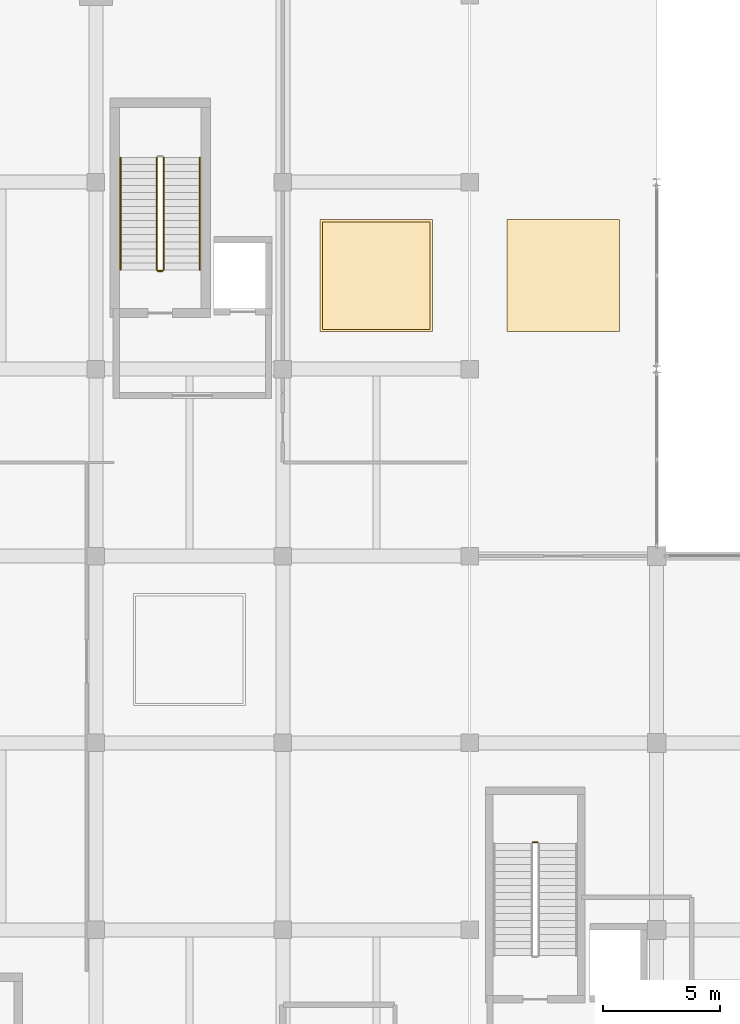
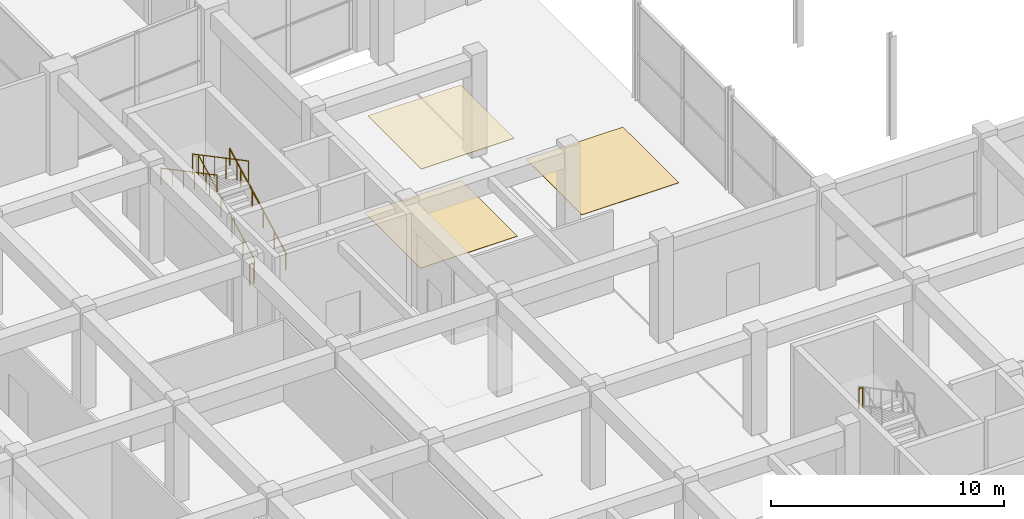
# One storey, part 69 of 86: 6 railings, 3 coverings.
"""IFC4 building model written with IfcOpenShell, lengths in metres."""

import ifcopenshell
import ifcopenshell.guid

model = None  # the IFC model being written
_history = None  # IfcOwnerHistory: only IFC2X3 demands one
_inside = {}  # id of a spatial element -> (the spatial element, [elements in it])
_under = {}  # id of a project, library or spatial element -> (it, [spatial elements below it])
_declared = {}  # id of a project -> (the project, [libraries it declares])
_typed = {}  # id of a type object -> (the type object, [elements of that type])
_made_of = {}  # id of a material, layer set ... -> (it, [elements and type objects made of it])


def new_model(schema):
    """Start an empty IFC model of exactly this schema.

    Asked for "IFC4X3", IfcOpenShell would pick the latest addendum, in which some entities
    have other attributes; the version numbers below select the first issue.
    IFC2X3 requires an IfcOwnerHistory on every rooted entity: one is made here for all.
    """
    global model, _history
    if schema == "IFC4X3":
        model = ifcopenshell.file(schema_version=(4, 3, 0, 0))
    else:
        model = ifcopenshell.file(schema=schema)
    _inside.clear()
    _under.clear()
    _declared.clear()
    _typed.clear()
    _made_of.clear()
    _history = None
    if model.schema == "IFC2X3":
        org = make("IfcOrganization", Name="unknown")
        user = make(
            "IfcPersonAndOrganization",
            ThePerson=make("IfcPerson", FamilyName="unknown"),
            TheOrganization=org,
        )
        app = make(
            "IfcApplication",
            ApplicationDeveloper=org,
            Version="unknown",
            ApplicationFullName="unknown",
            ApplicationIdentifier="unknown",
        )
        _history = make(
            "IfcOwnerHistory",
            OwningUser=user,
            OwningApplication=app,
            ChangeAction="ADDED",
            CreationDate=0,
        )
    return model


def make(cls, **values):
    """One entity of the class cls with the attributes given. An attribute that is None is left unset."""
    return model.create_entity(
        cls, **{name: value for name, value in values.items() if value is not None}
    )


def rooted(cls, **values):
    """An entity with a GlobalId (a new one), such as an element, a storey or a relation."""
    return make(cls, GlobalId=ifcopenshell.guid.new(), OwnerHistory=_history, **values)


def si_unit(unit_type, name, prefix=None):
    """IfcSIUnit, for example si_unit("LENGTHUNIT", "METRE", prefix="MILLI")."""
    return make("IfcSIUnit", UnitType=unit_type, Prefix=prefix, Name=name)


def assignment(units):
    """IfcUnitAssignment: the units of a project."""
    return None if units is None else make("IfcUnitAssignment", Units=units)


def point(xyz):
    """IfcCartesianPoint."""
    return None if xyz is None else make("IfcCartesianPoint", Coordinates=xyz)


def direction(xyz):
    """IfcDirection."""
    return None if xyz is None else make("IfcDirection", DirectionRatios=xyz)


def frame(location, z_axis=None, x_axis=None):
    """IfcAxis2Placement3D, a coordinate frame: its origin and axes. An axis left out is left unset."""
    return make(
        "IfcAxis2Placement3D",
        Location=point(location),
        Axis=direction(z_axis),
        RefDirection=direction(x_axis),
    )


def frame_2d(location, x_axis=None):
    """IfcAxis2Placement2D, a coordinate frame in the plane: its origin and x axis."""
    return make(
        "IfcAxis2Placement2D", Location=point(location), RefDirection=direction(x_axis)
    )


def origin():
    """The frame at (0, 0, 0) with its axes left unset."""
    return frame((0.0, 0.0, 0.0))


def origin_2d():
    """The frame at (0, 0) in the plane with its x axis left unset."""
    return frame_2d((0.0, 0.0))


def place(relative_to, where):
    """IfcLocalPlacement: puts the frame where relative to a parent placement (None: the world)."""
    return make(
        "IfcLocalPlacement", PlacementRelTo=relative_to, RelativePlacement=where
    )


def context(
    kind, dimensions, precision=None, world=None, true_north=None, identifier=None
):
    """IfcGeometricRepresentationContext, for example the 3D "Model" context."""
    return make(
        "IfcGeometricRepresentationContext",
        ContextIdentifier=identifier,
        ContextType=kind,
        CoordinateSpaceDimension=dimensions,
        Precision=precision,
        WorldCoordinateSystem=world,
        TrueNorth=true_north,
    )


def subcontext(parent, identifier, kind, view, scale=None):
    """IfcGeometricRepresentationSubContext, for example "Body" below "Model"."""
    return make(
        "IfcGeometricRepresentationSubContext",
        ContextIdentifier=identifier,
        ContextType=kind,
        ParentContext=parent,
        TargetScale=scale,
        TargetView=view,
    )


def project(units=None, contexts=None):
    """IfcProject with its units and contexts."""
    return rooted(
        "IfcProject",
        Name="project",
        RepresentationContexts=contexts,
        UnitsInContext=assignment(units),
    )


def spatial(cls, under=None, at=None, **own):
    """A site, building, storey or space (cls), placed at a placement, below another one or the project."""
    s = rooted(cls, ObjectPlacement=at, **own)
    if under is not None:
        _under.setdefault(under.id(), (under, []))[1].append(s)
    return s


def profile(cls, at=None, kind="AREA", **sizes):
    """A parametric profile (cls). Its sizes go by their IFC names, for example OverallWidth=200.0."""
    return make(cls, ProfileType=kind, Position=at, **sizes)


def rectangle(**sizes):
    """IfcRectangleProfileDef."""
    return profile("IfcRectangleProfileDef", **sizes)


def circle(**sizes):
    """IfcCircleProfileDef."""
    return profile("IfcCircleProfileDef", **sizes)


def extrude(swept, where, along, depth):
    """IfcExtrudedAreaSolid: the profile swept, set in the frame where, extruded along a direction by depth."""
    return make(
        "IfcExtrudedAreaSolid",
        SweptArea=swept,
        Position=where,
        ExtrudedDirection=direction(along),
        Depth=depth,
    )


def shape(context_of_items, identifier, shape_type, items):
    """IfcShapeRepresentation: the items that make up one representation, for example the "Body"."""
    return make(
        "IfcShapeRepresentation",
        ContextOfItems=context_of_items,
        RepresentationIdentifier=identifier,
        RepresentationType=shape_type,
        Items=items,
    )


def material(Name=None, Category=None):
    """IfcMaterial."""
    return make("IfcMaterial", Name=Name, Category=Category)


def layer(
    of_material, thickness, ventilated=None, Name=None, Category=None, Priority=None
):
    """IfcMaterialLayer: one layer of a wall or slab, of a material (None: an air gap)."""
    return make(
        "IfcMaterialLayer",
        Material=of_material,
        LayerThickness=thickness,
        IsVentilated=ventilated,
        Name=Name,
        Category=Category,
        Priority=Priority,
    )


def layer_set(layers, Name=None):
    """IfcMaterialLayerSet."""
    return make("IfcMaterialLayerSet", MaterialLayers=layers, LayerSetName=Name)


def made_of(thing, what):
    """Note that an element or type object is made of a material, layer set ...; save() writes the relation."""
    if what is not None:
        _made_of.setdefault(what.id(), (what, []))[1].append(thing)
    return thing


def type_object(cls, material=None, **own):
    """A type object (cls), such as IfcWallType, which elements share."""
    return made_of(rooted(cls, **own), material)


def element(
    cls,
    number,
    at=None,
    inside=None,
    cuts=None,
    type_object=None,
    material=None,
    context=None,
    identifier="Body",
    shape_type=None,
    held_by="IfcProductDefinitionShape",
    body=None,
    shapes=None,
    **own,
):
    """One element of the class cls, such as IfcWall. Its Tag is "e" and its number.

    at: its placement. inside: the storey or other place that contains it. cuts: it is an
    opening in that element (IfcRelVoidsElement). A single representation is given by context,
    identifier, shape_type and body (its items); several are given by shapes. held_by: the class
    of the entity that holds the representations. save() writes the other relations.
    """
    e = rooted(cls, Tag="e%d" % number, ObjectPlacement=at, **own)
    if body is not None:
        shapes = [shape(context, identifier, shape_type, body)]
    if shapes is not None:
        e.Representation = make(held_by, Representations=shapes)
    if inside is not None:
        _inside.setdefault(inside.id(), (inside, []))[1].append(e)
    if cuts is not None:
        rooted(
            "IfcRelVoidsElement", RelatingBuildingElement=cuts, RelatedOpeningElement=e
        )
    if type_object is not None:
        _typed.setdefault(type_object.id(), (type_object, []))[1].append(e)
    return made_of(e, material)


def aggregate(whole, parts):
    """IfcRelAggregates: a whole, such as a stair, and the parts it consists of."""
    return rooted("IfcRelAggregates", RelatingObject=whole, RelatedObjects=parts)


def save(model, path):
    """Write the relations noted so far, then the file.

    IfcRelAggregates (storeys below a building ...), IfcRelContainedInSpatialStructure (elements
    in a storey), IfcRelDefinesByType, IfcRelAssociatesMaterial and IfcRelDeclares: one each for
    every whole, place, type object, material and project.
    """
    for whole, parts in _under.values():
        aggregate(whole, parts)
    for where, things in _inside.values():
        rooted(
            "IfcRelContainedInSpatialStructure",
            RelatedElements=things,
            RelatingStructure=where,
        )
    for kind, things in _typed.values():
        rooted("IfcRelDefinesByType", RelatedObjects=things, RelatingType=kind)
    for what, things in _made_of.values():
        rooted("IfcRelAssociatesMaterial", RelatedObjects=things, RelatingMaterial=what)
    for by, libraries in _declared.values():
        rooted("IfcRelDeclares", RelatingContext=by, RelatedDefinitions=libraries)
    model.write(path)


model = new_model("IFC4")

# Units and contexts
model_context = context("Model", 3, precision=1e-05, world=origin(), true_north=direction((0.0, 1.0)))
body_context = subcontext(model_context, "Body", "Model", "MODEL_VIEW")
ifc_project = project(units=[si_unit("LENGTHUNIT", "METRE"), si_unit("AREAUNIT", "SQUARE_METRE"), si_unit("VOLUMEUNIT", "CUBIC_METRE"), si_unit("PLANEANGLEUNIT", "RADIAN"), si_unit("MASSUNIT", "GRAM", prefix="KILO")], contexts=[model_context])

# Site, building, storey
site_placement = place(None, origin())
site = spatial("IfcSite", under=ifc_project, at=site_placement, CompositionType="ELEMENT")
building_placement = place(site_placement, origin())
building = spatial("IfcBuilding", under=site, at=building_placement, Name="Kenh Van Central Station", CompositionType="ELEMENT")
storey_placement = place(building_placement, origin())
storey = spatial("IfcBuildingStorey", under=building, at=storey_placement, Name="L00", CompositionType="ELEMENT", Elevation=0.0)

# Coverings
ifc_material_1 = material(Name="Perforated acoustic mineral ceiling board")
ifc_layer_1 = layer(ifc_material_1, 0.02490234375, Name="Perforated acoustic mineral ceiling board")
ifc_layer_set_1 = layer_set([ifc_layer_1], Name="Perforated acoustic mineral ceiling board")
covering_type_1 = type_object("IfcCoveringType", Name="COV-CEIL-ACOUST", PredefinedType="CEILING", material=ifc_layer_set_1)
covering_placement = place(storey_placement, frame((44.0, 52.0, 5.09716796875), z_axis=(0.0, 0.0, 1.0), x_axis=(1.0, 0.0, 0.0)))
element("IfcCovering", 1, at=covering_placement, inside=storey, type_object=covering_type_1, Name="L00 acoustic ceiling panel 024", PredefinedType="CEILING", context=body_context, shape_type="SweptSolid", body=[
    extrude(rectangle(XDim=4.60009765625, YDim=4.60009765625, at=origin_2d()), origin(), (0.0, 0.0, 1.0), 0.02490234375),
])
ifc_material_2 = material(Name="Polished station granite terrazzo", Category="masonry")
ifc_layer_2 = layer(ifc_material_2, 0.02001953125, Name="Polished station granite terrazzo")
ifc_layer_set_2 = layer_set([ifc_layer_2], Name="Polished station granite terrazzo")
covering_type_2 = type_object("IfcCoveringType", Name="COV-FLR-GRANITE", PredefinedType="FLOORING", material=ifc_layer_set_2)
for number, where, z_axis, x_axis, name in (
    (2, (52.0, 52.0, 0.0), (0.0, 0.0, 1.0), (1.0, 0.0, 0.0), "L00 granite floor finish 023"),
    (3, (44.0, 52.0, 0.0), (0.0, 0.0, 1.0), (1.0, 0.0, 0.0), "L00 granite floor finish 032"),
):
    element("IfcCovering", number, at=place(storey_placement, frame(where, z_axis=z_axis, x_axis=x_axis)), inside=storey, type_object=covering_type_2, Name=name, PredefinedType="FLOORING", context=body_context, shape_type="SweptSolid", body=[
        extrude(rectangle(XDim=4.800048828125, YDim=4.800048828125, at=origin_2d()), origin(), (0.0, 0.0, 1.0), 0.02001953125),
    ])

# Railings
ifc_material_3 = material(Name="Champagne anodised aluminium", Category="aluminium")
railing_type_1 = type_object("IfcRailingType", Name="RAIL-CORE-GRD110", PredefinedType="GUARDRAIL", material=ifc_material_3)
railing_1_placement = place(storey_placement, frame((34.89990234375, 52.25, 0.158935546875)))
element("IfcRailing", 4, at=railing_1_placement, inside=storey, type_object=railing_type_1, Name="L00 ST-02 stair guard 1", PredefinedType="GUARDRAIL", context=body_context, shape_type="SweptSolid", body=[
    extrude(circle(Radius=0.02392578125, at=origin_2d()), frame((0.0, 0.0, 1.076171875), z_axis=(0.0, 0.883802130504, 0.467860870469), x_axis=(-1.0, 0.0, 0.0)), (0.0, 0.0, 1.0), 5.43115234375),
    extrude(circle(Radius=0.02099609375, at=origin_2d()), origin(), (0.0, 0.0, 1.0), 1.052001953125),
    extrude(circle(Radius=0.02099609375, at=origin_2d()), frame((0.0, 0.9599609375, 0.50830078125)), (0.0, 0.0, 1.0), 1.052001953125),
    extrude(circle(Radius=0.02099609375, at=origin_2d()), frame((0.0, 1.919921875, 1.016357421875)), (0.0, 0.0, 1.0), 1.052001953125),
    extrude(circle(Radius=0.02099609375, at=origin_2d()), frame((0.0, 2.880126953125, 1.524658203125)), (0.0, 0.0, 1.0), 1.052001953125),
    extrude(circle(Radius=0.02099609375, at=origin_2d()), frame((0.0, 3.840087890625, 2.03271484375)), (0.0, 0.0, 1.0), 1.052001953125),
    extrude(circle(Radius=0.02099609375, at=origin_2d()), frame((0.0, 4.800048828125, 2.541015625)), (0.0, 0.0, 1.0), 1.052001953125),
])
railing_2_placement = place(storey_placement, frame((34.60009765625, 57.050048828125, 2.85888671875)))
element("IfcRailing", 5, at=railing_2_placement, inside=storey, type_object=railing_type_1, Name="L00 ST-02 stair guard 3", PredefinedType="GUARDRAIL", context=body_context, shape_type="SweptSolid", body=[
    extrude(circle(Radius=0.02392578125, at=origin_2d()), frame((0.0, 0.0, 1.076171875), z_axis=(0.0, -0.883802130504, 0.467860870469), x_axis=(1.0, 0.0, 0.0)), (0.0, 0.0, 1.0), 5.43115234375),
    extrude(circle(Radius=0.02099609375, at=origin_2d()), origin(), (0.0, 0.0, 1.0), 1.052001953125),
    extrude(circle(Radius=0.02099609375, at=origin_2d()), frame((0.0, -0.9599609375, 0.50830078125)), (0.0, 0.0, 1.0), 1.052001953125),
    extrude(circle(Radius=0.02099609375, at=origin_2d()), frame((0.0, -1.919921875, 1.016357421875)), (0.0, 0.0, 1.0), 1.052001953125),
    extrude(circle(Radius=0.02099609375, at=origin_2d()), frame((0.0, -2.880126953125, 1.524658203125)), (0.0, 0.0, 1.0), 1.052001953125),
    extrude(circle(Radius=0.02099609375, at=origin_2d()), frame((0.0, -3.840087890625, 2.03271484375)), (0.0, 0.0, 1.0), 1.052001953125),
    extrude(circle(Radius=0.02099609375, at=origin_2d()), frame((0.0, -4.800048828125, 2.541015625)), (0.0, 0.0, 1.0), 1.052001953125),
])
railing_3_placement = place(storey_placement, frame((34.85009765625, 52.199951171875, 0.0)))
element("IfcRailing", 6, at=railing_3_placement, inside=storey, type_object=railing_type_1, Name="L00 ST-02 stair guard 4", PredefinedType="GUARDRAIL", context=body_context, shape_type="SweptSolid", body=[
    extrude(circle(Radius=0.02392578125, at=origin_2d()), frame((0.0, 0.0, 1.076171875), z_axis=(-1.0, 0.0, 0.0), x_axis=(0.0, -1.0, 0.0)), (0.0, 0.0, 1.0), 0.2001953125),
    extrude(circle(Radius=0.02099609375, at=origin_2d()), origin(), (0.0, 0.0, 1.0), 1.052001953125),
    extrude(circle(Radius=0.02099609375, at=origin_2d()), frame((-0.2001953125, 0.0, 0.0)), (0.0, 0.0, 1.0), 1.052001953125),
])
railing_4_placement = place(storey_placement, frame((50.89990234375, 27.75, 2.699951171875)))
element("IfcRailing", 7, at=railing_4_placement, inside=storey, type_object=railing_type_1, Name="L00 ST-03 stair guard 2", PredefinedType="GUARDRAIL", context=body_context, shape_type="SweptSolid", body=[
    extrude(circle(Radius=0.02392578125, at=origin_2d()), frame((0.0, 0.0, 1.076171875), z_axis=(-1.0, 0.0, 0.0), x_axis=(0.0, -1.0, 0.0)), (0.0, 0.0, 1.0), 0.199951171875),
    extrude(circle(Radius=0.02099609375, at=origin_2d()), origin(), (0.0, 0.0, 1.0), 1.052001953125),
    extrude(circle(Radius=0.02099609375, at=origin_2d()), frame((-0.199951171875, 0.0, 0.0)), (0.0, 0.0, 1.0), 1.052001953125),
])
railing_type_2 = type_object("IfcRailingType", Name="RAIL-CORE-HND90", PredefinedType="HANDRAIL", material=ifc_material_3)
railing_5_placement = place(storey_placement, frame((36.449951171875, 52.25, 0.158935546875)))
element("IfcRailing", 8, at=railing_5_placement, inside=storey, type_object=railing_type_2, Name="L00 ST-02 stair handrail 1", PredefinedType="HANDRAIL", context=body_context, shape_type="SweptSolid", body=[
    extrude(circle(Radius=0.02392578125, at=origin_2d()), frame((0.0, 0.0, 0.8759765625), z_axis=(0.0, 0.883802130504, 0.467860870469), x_axis=(-1.0, 0.0, 0.0)), (0.0, 0.0, 1.0), 5.43115234375),
    extrude(circle(Radius=0.02099609375, at=origin_2d()), origin(), (0.0, 0.0, 1.0), 0.851806640625),
    extrude(circle(Radius=0.02099609375, at=origin_2d()), frame((0.0, 0.9599609375, 0.50830078125)), (0.0, 0.0, 1.0), 0.851806640625),
    extrude(circle(Radius=0.02099609375, at=origin_2d()), frame((0.0, 1.919921875, 1.016357421875)), (0.0, 0.0, 1.0), 0.851806640625),
    extrude(circle(Radius=0.02099609375, at=origin_2d()), frame((0.0, 2.880126953125, 1.524658203125)), (0.0, 0.0, 1.0), 0.851806640625),
    extrude(circle(Radius=0.02099609375, at=origin_2d()), frame((0.0, 3.840087890625, 2.03271484375)), (0.0, 0.0, 1.0), 0.851806640625),
    extrude(circle(Radius=0.02099609375, at=origin_2d()), frame((0.0, 4.800048828125, 2.541015625)), (0.0, 0.0, 1.0), 0.851806640625),
])
railing_6_placement = place(storey_placement, frame((33.050048828125, 57.050048828125, 2.85888671875)))
element("IfcRailing", 9, at=railing_6_placement, inside=storey, type_object=railing_type_2, Name="L00 ST-02 stair handrail 2", PredefinedType="HANDRAIL", context=body_context, shape_type="SweptSolid", body=[
    extrude(circle(Radius=0.02392578125, at=origin_2d()), frame((0.0, 0.0, 0.8759765625), z_axis=(0.0, -0.883802130504, 0.467860870469), x_axis=(1.0, 0.0, 0.0)), (0.0, 0.0, 1.0), 5.43115234375),
    extrude(circle(Radius=0.02099609375, at=origin_2d()), origin(), (0.0, 0.0, 1.0), 0.851806640625),
    extrude(circle(Radius=0.02099609375, at=origin_2d()), frame((0.0, -0.9599609375, 0.50830078125)), (0.0, 0.0, 1.0), 0.851806640625),
    extrude(circle(Radius=0.02099609375, at=origin_2d()), frame((0.0, -1.919921875, 1.016357421875)), (0.0, 0.0, 1.0), 0.851806640625),
    extrude(circle(Radius=0.02099609375, at=origin_2d()), frame((0.0, -2.880126953125, 1.524658203125)), (0.0, 0.0, 1.0), 0.851806640625),
    extrude(circle(Radius=0.02099609375, at=origin_2d()), frame((0.0, -3.840087890625, 2.03271484375)), (0.0, 0.0, 1.0), 0.851806640625),
    extrude(circle(Radius=0.02099609375, at=origin_2d()), frame((0.0, -4.800048828125, 2.541015625)), (0.0, 0.0, 1.0), 0.851806640625),
])

save(model, "model.ifc")
